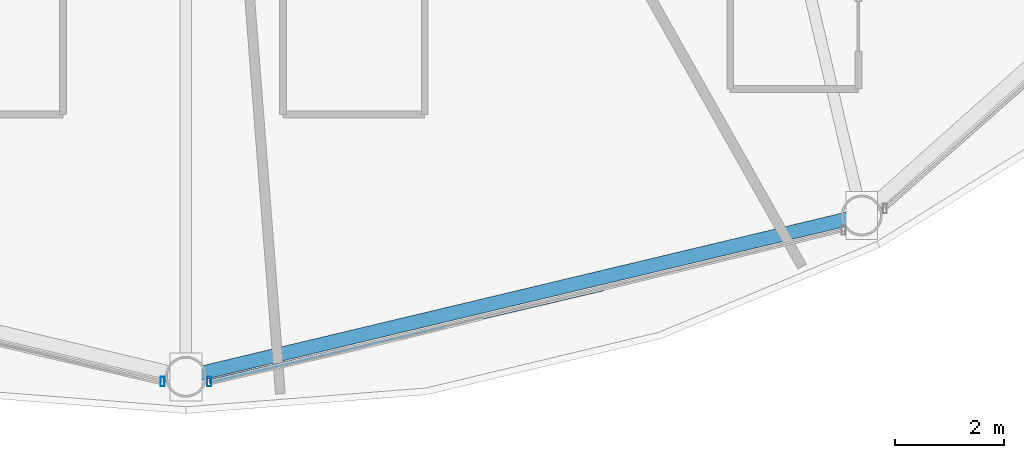
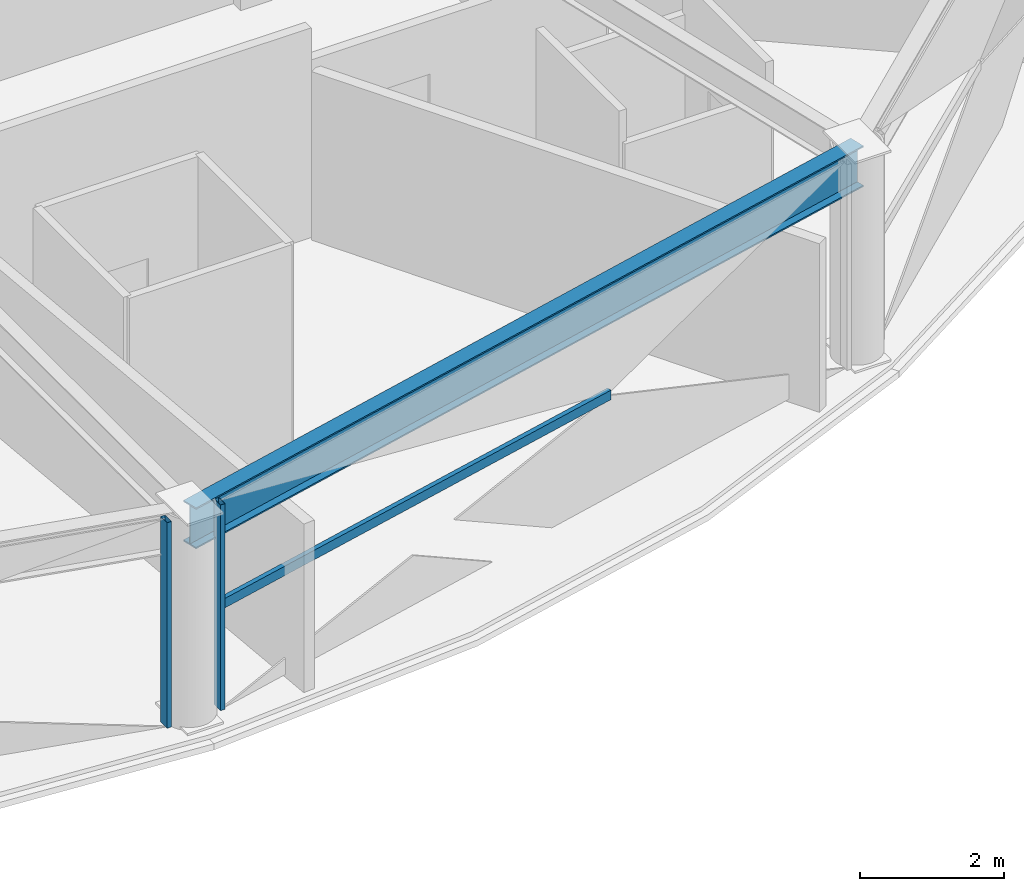
# One storey, part 5 of 30: 3 members, 1 beam, 2 elements without a shape of their own.
"""IFC4 building model written with IfcOpenShell, lengths in metres."""

import ifcopenshell
import ifcopenshell.guid

model = None  # the IFC model being written
_history = None  # IfcOwnerHistory: only IFC2X3 demands one
_inside = {}  # id of a spatial element -> (the spatial element, [elements in it])
_under = {}  # id of a project, library or spatial element -> (it, [spatial elements below it])
_declared = {}  # id of a project -> (the project, [libraries it declares])
_typed = {}  # id of a type object -> (the type object, [elements of that type])
_made_of = {}  # id of a material, layer set ... -> (it, [elements and type objects made of it])


def new_model(schema):
    """Start an empty IFC model of exactly this schema.

    Asked for "IFC4X3", IfcOpenShell would pick the latest addendum, in which some entities
    have other attributes; the version numbers below select the first issue.
    IFC2X3 requires an IfcOwnerHistory on every rooted entity: one is made here for all.
    """
    global model, _history
    if schema == "IFC4X3":
        model = ifcopenshell.file(schema_version=(4, 3, 0, 0))
    else:
        model = ifcopenshell.file(schema=schema)
    _inside.clear()
    _under.clear()
    _declared.clear()
    _typed.clear()
    _made_of.clear()
    _history = None
    if model.schema == "IFC2X3":
        org = make("IfcOrganization", Name="unknown")
        user = make(
            "IfcPersonAndOrganization",
            ThePerson=make("IfcPerson", FamilyName="unknown"),
            TheOrganization=org,
        )
        app = make(
            "IfcApplication",
            ApplicationDeveloper=org,
            Version="unknown",
            ApplicationFullName="unknown",
            ApplicationIdentifier="unknown",
        )
        _history = make(
            "IfcOwnerHistory",
            OwningUser=user,
            OwningApplication=app,
            ChangeAction="ADDED",
            CreationDate=0,
        )
    return model


def make(cls, **values):
    """One entity of the class cls with the attributes given. An attribute that is None is left unset."""
    return model.create_entity(
        cls, **{name: value for name, value in values.items() if value is not None}
    )


def rooted(cls, **values):
    """An entity with a GlobalId (a new one), such as an element, a storey or a relation."""
    return make(cls, GlobalId=ifcopenshell.guid.new(), OwnerHistory=_history, **values)


def si_unit(unit_type, name, prefix=None):
    """IfcSIUnit, for example si_unit("LENGTHUNIT", "METRE", prefix="MILLI")."""
    return make("IfcSIUnit", UnitType=unit_type, Prefix=prefix, Name=name)


def assignment(units):
    """IfcUnitAssignment: the units of a project."""
    return None if units is None else make("IfcUnitAssignment", Units=units)


def point(xyz):
    """IfcCartesianPoint."""
    return None if xyz is None else make("IfcCartesianPoint", Coordinates=xyz)


def direction(xyz):
    """IfcDirection."""
    return None if xyz is None else make("IfcDirection", DirectionRatios=xyz)


def frame(location, z_axis=None, x_axis=None):
    """IfcAxis2Placement3D, a coordinate frame: its origin and axes. An axis left out is left unset."""
    return make(
        "IfcAxis2Placement3D",
        Location=point(location),
        Axis=direction(z_axis),
        RefDirection=direction(x_axis),
    )


def frame_2d(location, x_axis=None):
    """IfcAxis2Placement2D, a coordinate frame in the plane: its origin and x axis."""
    return make(
        "IfcAxis2Placement2D", Location=point(location), RefDirection=direction(x_axis)
    )


def origin():
    """The frame at (0, 0, 0) with its axes left unset."""
    return frame((0.0, 0.0, 0.0))


def origin_2d():
    """The frame at (0, 0) in the plane with its x axis left unset."""
    return frame_2d((0.0, 0.0))


def place(relative_to, where):
    """IfcLocalPlacement: puts the frame where relative to a parent placement (None: the world)."""
    return make(
        "IfcLocalPlacement", PlacementRelTo=relative_to, RelativePlacement=where
    )


def context(
    kind, dimensions, precision=None, world=None, true_north=None, identifier=None
):
    """IfcGeometricRepresentationContext, for example the 3D "Model" context."""
    return make(
        "IfcGeometricRepresentationContext",
        ContextIdentifier=identifier,
        ContextType=kind,
        CoordinateSpaceDimension=dimensions,
        Precision=precision,
        WorldCoordinateSystem=world,
        TrueNorth=true_north,
    )


def subcontext(parent, identifier, kind, view, scale=None):
    """IfcGeometricRepresentationSubContext, for example "Body" below "Model"."""
    return make(
        "IfcGeometricRepresentationSubContext",
        ContextIdentifier=identifier,
        ContextType=kind,
        ParentContext=parent,
        TargetScale=scale,
        TargetView=view,
    )


def project(units=None, contexts=None):
    """IfcProject with its units and contexts."""
    return rooted(
        "IfcProject",
        Name="project",
        RepresentationContexts=contexts,
        UnitsInContext=assignment(units),
    )


def spatial(cls, under=None, at=None, **own):
    """A site, building, storey or space (cls), placed at a placement, below another one or the project."""
    s = rooted(cls, ObjectPlacement=at, **own)
    if under is not None:
        _under.setdefault(under.id(), (under, []))[1].append(s)
    return s


def profile(cls, at=None, kind="AREA", **sizes):
    """A parametric profile (cls). Its sizes go by their IFC names, for example OverallWidth=200.0."""
    return make(cls, ProfileType=kind, Position=at, **sizes)


def hollow_rectangle(**sizes):
    """IfcRectangleHollowProfileDef."""
    return profile("IfcRectangleHollowProfileDef", **sizes)


def i_section(**sizes):
    """IfcIShapeProfileDef."""
    return profile("IfcIShapeProfileDef", **sizes)


def extrude(swept, where, along, depth):
    """IfcExtrudedAreaSolid: the profile swept, set in the frame where, extruded along a direction by depth."""
    return make(
        "IfcExtrudedAreaSolid",
        SweptArea=swept,
        Position=where,
        ExtrudedDirection=direction(along),
        Depth=depth,
    )


def shape(context_of_items, identifier, shape_type, items):
    """IfcShapeRepresentation: the items that make up one representation, for example the "Body"."""
    return make(
        "IfcShapeRepresentation",
        ContextOfItems=context_of_items,
        RepresentationIdentifier=identifier,
        RepresentationType=shape_type,
        Items=items,
    )


def material(Name=None, Category=None):
    """IfcMaterial."""
    return make("IfcMaterial", Name=Name, Category=Category)


def layer(
    of_material, thickness, ventilated=None, Name=None, Category=None, Priority=None
):
    """IfcMaterialLayer: one layer of a wall or slab, of a material (None: an air gap)."""
    return make(
        "IfcMaterialLayer",
        Material=of_material,
        LayerThickness=thickness,
        IsVentilated=ventilated,
        Name=Name,
        Category=Category,
        Priority=Priority,
    )


def layer_set(layers, Name=None):
    """IfcMaterialLayerSet."""
    return make("IfcMaterialLayerSet", MaterialLayers=layers, LayerSetName=Name)


def material_profile(
    of_material, cross_section, Name=None, Category=None, Priority=None
):
    """IfcMaterialProfile: a cross section and its material."""
    return make(
        "IfcMaterialProfile",
        Name=Name,
        Material=of_material,
        Profile=cross_section,
        Priority=Priority,
        Category=Category,
    )


def profile_set(profiles, Name=None, composite=None):
    """IfcMaterialProfileSet."""
    return make(
        "IfcMaterialProfileSet",
        Name=Name,
        MaterialProfiles=profiles,
        CompositeProfile=composite,
    )


def made_of(thing, what):
    """Note that an element or type object is made of a material, layer set ...; save() writes the relation."""
    if what is not None:
        _made_of.setdefault(what.id(), (what, []))[1].append(thing)
    return thing


def type_object(cls, material=None, **own):
    """A type object (cls), such as IfcWallType, which elements share."""
    return made_of(rooted(cls, **own), material)


def element(
    cls,
    number,
    at=None,
    inside=None,
    cuts=None,
    type_object=None,
    material=None,
    context=None,
    identifier="Body",
    shape_type=None,
    held_by="IfcProductDefinitionShape",
    body=None,
    shapes=None,
    **own,
):
    """One element of the class cls, such as IfcWall. Its Tag is "e" and its number.

    at: its placement. inside: the storey or other place that contains it. cuts: it is an
    opening in that element (IfcRelVoidsElement). A single representation is given by context,
    identifier, shape_type and body (its items); several are given by shapes. held_by: the class
    of the entity that holds the representations. save() writes the other relations.
    """
    e = rooted(cls, Tag="e%d" % number, ObjectPlacement=at, **own)
    if body is not None:
        shapes = [shape(context, identifier, shape_type, body)]
    if shapes is not None:
        e.Representation = make(held_by, Representations=shapes)
    if inside is not None:
        _inside.setdefault(inside.id(), (inside, []))[1].append(e)
    if cuts is not None:
        rooted(
            "IfcRelVoidsElement", RelatingBuildingElement=cuts, RelatedOpeningElement=e
        )
    if type_object is not None:
        _typed.setdefault(type_object.id(), (type_object, []))[1].append(e)
    return made_of(e, material)


def aggregate(whole, parts):
    """IfcRelAggregates: a whole, such as a stair, and the parts it consists of."""
    return rooted("IfcRelAggregates", RelatingObject=whole, RelatedObjects=parts)


def save(model, path):
    """Write the relations noted so far, then the file.

    IfcRelAggregates (storeys below a building ...), IfcRelContainedInSpatialStructure (elements
    in a storey), IfcRelDefinesByType, IfcRelAssociatesMaterial and IfcRelDeclares: one each for
    every whole, place, type object, material and project.
    """
    for whole, parts in _under.values():
        aggregate(whole, parts)
    for where, things in _inside.values():
        rooted(
            "IfcRelContainedInSpatialStructure",
            RelatedElements=things,
            RelatingStructure=where,
        )
    for kind, things in _typed.values():
        rooted("IfcRelDefinesByType", RelatedObjects=things, RelatingType=kind)
    for what, things in _made_of.values():
        rooted("IfcRelAssociatesMaterial", RelatedObjects=things, RelatingMaterial=what)
    for by, libraries in _declared.values():
        rooted("IfcRelDeclares", RelatingContext=by, RelatedDefinitions=libraries)
    model.write(path)


model = new_model("IFC4")

# Units and contexts
model_context = context("Model", 3, precision=1e-05, world=origin(), true_north=direction((0.0, 1.0)))
body_context = subcontext(model_context, "Body", "Model", "MODEL_VIEW")
ifc_project = project(units=[si_unit("LENGTHUNIT", "METRE"), si_unit("AREAUNIT", "SQUARE_METRE"), si_unit("VOLUMEUNIT", "CUBIC_METRE"), si_unit("PLANEANGLEUNIT", "RADIAN"), si_unit("MASSUNIT", "GRAM", prefix="KILO")], contexts=[model_context])

# Site, building, storey
site_placement = place(None, origin())
site = spatial("IfcSite", under=ifc_project, at=site_placement, CompositionType="ELEMENT")
building_placement = place(site_placement, origin())
building = spatial("IfcBuilding", under=site, at=building_placement, Name="Vantalir Tower", CompositionType="ELEMENT")
storey_placement = place(building_placement, frame((0.0, 0.0, 153.449951171875)))
storey = spatial("IfcBuildingStorey", under=building, at=storey_placement, Name="L38", CompositionType="ELEMENT", Elevation=153.449951171875)

# Beam
ifc_material_1 = material(Name="Steel S460", Category="steel")
ifc_material_profile_1 = material_profile(ifc_material_1, i_section(OverallWidth=0.256103515625, OverallDepth=0.693115234375, WebThickness=0.014404296875, FlangeThickness=0.023681640625, at=origin_2d()), Name="Steel S460")
ifc_profile_set_1 = profile_set([ifc_material_profile_1], Name="Steel S460")
beam_type = type_object("IfcBeamType", Name="BM-RG-686x254", PredefinedType="USERDEFINED", material=ifc_profile_set_1)
beam_placement = place(storey_placement, frame((31.5, 2.930908203125, 3.22412109375), z_axis=(0.972690538126, 0.232105831549, 0.0), x_axis=(-0.232105831549, 0.972690538126, 0.0)))
element("IfcBeam", 1, at=beam_placement, inside=storey, type_object=beam_type, Name="L38 Circumferential Ring Girder 10", ObjectType="GIRDER", PredefinedType="USERDEFINED", context=body_context, shape_type="SweptSolid", body=[
    extrude(i_section(OverallWidth=0.256103515625, OverallDepth=0.693115234375, WebThickness=0.014404296875, FlangeThickness=0.023681640625, at=origin_2d()), origin(), (0.0, 0.0, 1.0), 12.739990234375),
])

# Curtain wall, member
ifc_material_2 = material(Name="Champagne-silver PVDF aluminium and double-silver Low-E glass", Category="aluminium")
ifc_layer = layer(ifc_material_2, 0.199951171875)
ifc_layer_set = layer_set([ifc_layer], Name="Champagne-silver PVDF aluminium and double-silver Low-E glass")
curtain_wall_type = type_object("IfcCurtainWallType", Name="CW-DIAMOND-Z2", PredefinedType="USERDEFINED", material=ifc_layer_set)
curtain_wall_1_placement = place(storey_placement, origin())
curtain_wall_1 = element("IfcCurtainWall", 2, at=curtain_wall_1_placement, inside=storey, type_object=curtain_wall_type, Name="L38 Quilted Pyramid-Diamond Curtain Wall S09", ObjectType="UNITISED CURTAIN WALL", PredefinedType="USERDEFINED")
ifc_material_3 = material(Name="Champagne-silver PVDF aluminium 6063-T6", Category="aluminium")
ifc_material_profile_2 = material_profile(ifc_material_3, hollow_rectangle(XDim=0.074951171875, YDim=0.179931640625, WallThickness=0.00390625, at=origin_2d()), Name="Champagne-silver PVDF aluminium 6063-T6")
ifc_profile_set_2 = profile_set([ifc_material_profile_2], Name="Champagne-silver PVDF aluminium 6063-T6")
member_type_1 = type_object("IfcMemberType", Name="CWM-180x75", PredefinedType="MULLION", material=ifc_profile_set_2)
member_1_placement = place(storey_placement, frame((31.072021484375, 2.843017578125, 0.045166015625), z_axis=(0.0, 0.0, 1.0), x_axis=(1.0, 0.0, 0.0)))
member_1 = element("IfcMember", 3, at=member_1_placement, type_object=member_type_1, Name="CW-L38-S09 Mullion 2", PredefinedType="MULLION", context=body_context, shape_type="SweptSolid", body=[
    extrude(hollow_rectangle(XDim=0.074951171875, YDim=0.179931640625, WallThickness=0.00390625, at=origin_2d()), origin(), (0.0, 0.0, 1.0), 3.47998046875),
])
aggregate(curtain_wall_1, [member_1])

# Curtain wall, members
curtain_wall_2_placement = place(storey_placement, origin())
curtain_wall_2 = element("IfcCurtainWall", 4, at=curtain_wall_2_placement, inside=storey, type_object=curtain_wall_type, Name="L38 Quilted Pyramid-Diamond Curtain Wall S10", ObjectType="UNITISED CURTAIN WALL", PredefinedType="USERDEFINED")
member_2_placement = place(storey_placement, frame((31.927978515625, 2.843017578125, 0.045166015625), z_axis=(0.0, 0.0, 1.0), x_axis=(1.0, 0.0, 0.0)))
member_2 = element("IfcMember", 5, at=member_2_placement, type_object=member_type_1, Name="CW-L38-S10 Mullion 1", PredefinedType="MULLION", context=body_context, shape_type="SweptSolid", body=[
    extrude(hollow_rectangle(XDim=0.074951171875, YDim=0.179931640625, WallThickness=0.00390625, at=origin_2d()), origin(), (0.0, 0.0, 1.0), 3.47998046875),
])
ifc_material_profile_3 = material_profile(ifc_material_3, hollow_rectangle(XDim=0.074951171875, YDim=0.159912109375, WallThickness=0.00390625, at=origin_2d()), Name="Champagne-silver PVDF aluminium 6063-T6")
ifc_profile_set_3 = profile_set([ifc_material_profile_3], Name="Champagne-silver PVDF aluminium 6063-T6")
member_type_2 = type_object("IfcMemberType", Name="CWT-160x75", PredefinedType="USERDEFINED", material=ifc_profile_set_3)
member_3_placement = place(storey_placement, frame((31.927978515625, 2.843017578125, 1.78515625), z_axis=(0.973383055875, 0.229184263283, 0.0), x_axis=(-0.229184263283, 0.973383055875, 0.0)))
member_3 = element("IfcMember", 6, at=member_3_placement, type_object=member_type_2, Name="CW-L38-S10 Pyramid Fold Ridge Transom", ObjectType="TRANSOM", PredefinedType="USERDEFINED", context=body_context, shape_type="SweptSolid", body=[
    extrude(hollow_rectangle(XDim=0.074951171875, YDim=0.159912109375, WallThickness=0.00390625, at=origin_2d()), origin(), (0.0, 0.0, 1.0), 7.41748046875),
])
aggregate(curtain_wall_2, [member_2, member_3])

save(model, "model.ifc")
